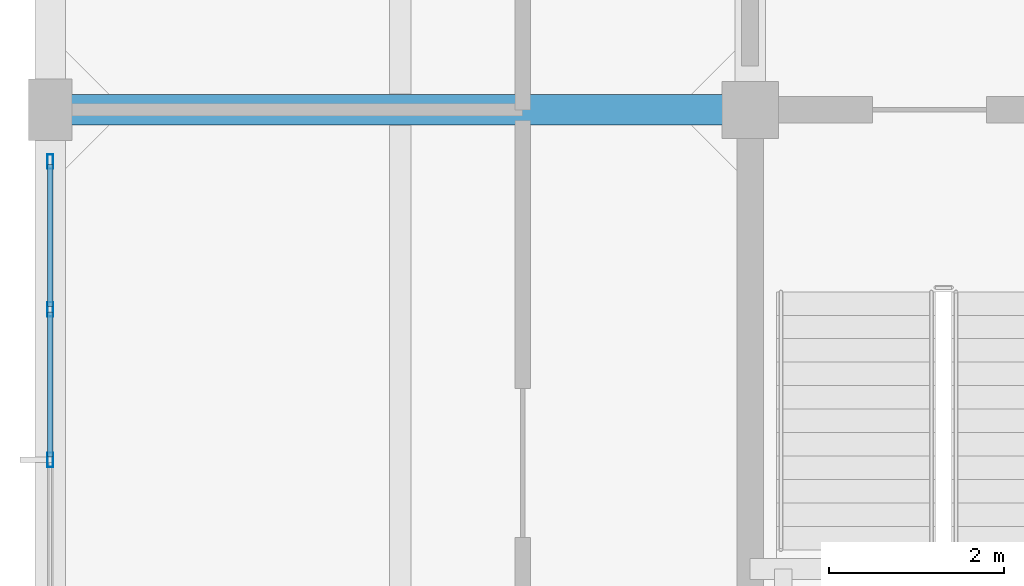
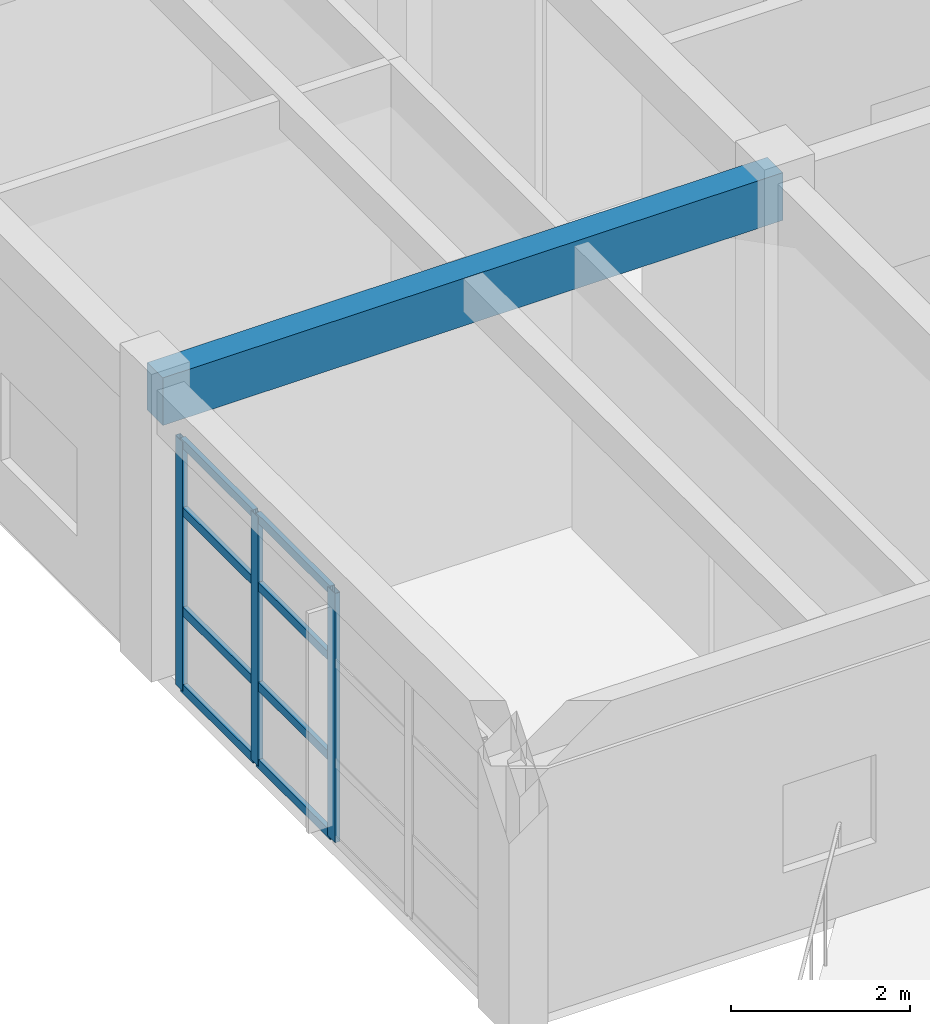
# One storey, part 4 of 20: 11 members, 1 beam, 1 element without a shape of its own.
"""IFC4 building model written with IfcOpenShell, lengths in metres."""

import ifcopenshell
import ifcopenshell.guid

model = None  # the IFC model being written
_history = None  # IfcOwnerHistory: only IFC2X3 demands one
_inside = {}  # id of a spatial element -> (the spatial element, [elements in it])
_under = {}  # id of a project, library or spatial element -> (it, [spatial elements below it])
_declared = {}  # id of a project -> (the project, [libraries it declares])
_typed = {}  # id of a type object -> (the type object, [elements of that type])
_made_of = {}  # id of a material, layer set ... -> (it, [elements and type objects made of it])


def new_model(schema):
    """Start an empty IFC model of exactly this schema.

    Asked for "IFC4X3", IfcOpenShell would pick the latest addendum, in which some entities
    have other attributes; the version numbers below select the first issue.
    IFC2X3 requires an IfcOwnerHistory on every rooted entity: one is made here for all.
    """
    global model, _history
    if schema == "IFC4X3":
        model = ifcopenshell.file(schema_version=(4, 3, 0, 0))
    else:
        model = ifcopenshell.file(schema=schema)
    _inside.clear()
    _under.clear()
    _declared.clear()
    _typed.clear()
    _made_of.clear()
    _history = None
    if model.schema == "IFC2X3":
        org = make("IfcOrganization", Name="unknown")
        user = make(
            "IfcPersonAndOrganization",
            ThePerson=make("IfcPerson", FamilyName="unknown"),
            TheOrganization=org,
        )
        app = make(
            "IfcApplication",
            ApplicationDeveloper=org,
            Version="unknown",
            ApplicationFullName="unknown",
            ApplicationIdentifier="unknown",
        )
        _history = make(
            "IfcOwnerHistory",
            OwningUser=user,
            OwningApplication=app,
            ChangeAction="ADDED",
            CreationDate=0,
        )
    return model


def make(cls, **values):
    """One entity of the class cls with the attributes given. An attribute that is None is left unset."""
    return model.create_entity(
        cls, **{name: value for name, value in values.items() if value is not None}
    )


def rooted(cls, **values):
    """An entity with a GlobalId (a new one), such as an element, a storey or a relation."""
    return make(cls, GlobalId=ifcopenshell.guid.new(), OwnerHistory=_history, **values)


def si_unit(unit_type, name, prefix=None):
    """IfcSIUnit, for example si_unit("LENGTHUNIT", "METRE", prefix="MILLI")."""
    return make("IfcSIUnit", UnitType=unit_type, Prefix=prefix, Name=name)


def assignment(units):
    """IfcUnitAssignment: the units of a project."""
    return None if units is None else make("IfcUnitAssignment", Units=units)


def point(xyz):
    """IfcCartesianPoint."""
    return None if xyz is None else make("IfcCartesianPoint", Coordinates=xyz)


def direction(xyz):
    """IfcDirection."""
    return None if xyz is None else make("IfcDirection", DirectionRatios=xyz)


def frame(location, z_axis=None, x_axis=None):
    """IfcAxis2Placement3D, a coordinate frame: its origin and axes. An axis left out is left unset."""
    return make(
        "IfcAxis2Placement3D",
        Location=point(location),
        Axis=direction(z_axis),
        RefDirection=direction(x_axis),
    )


def frame_2d(location, x_axis=None):
    """IfcAxis2Placement2D, a coordinate frame in the plane: its origin and x axis."""
    return make(
        "IfcAxis2Placement2D", Location=point(location), RefDirection=direction(x_axis)
    )


def origin():
    """The frame at (0, 0, 0) with its axes left unset."""
    return frame((0.0, 0.0, 0.0))


def origin_2d():
    """The frame at (0, 0) in the plane with its x axis left unset."""
    return frame_2d((0.0, 0.0))


def place(relative_to, where):
    """IfcLocalPlacement: puts the frame where relative to a parent placement (None: the world)."""
    return make(
        "IfcLocalPlacement", PlacementRelTo=relative_to, RelativePlacement=where
    )


def context(
    kind, dimensions, precision=None, world=None, true_north=None, identifier=None
):
    """IfcGeometricRepresentationContext, for example the 3D "Model" context."""
    return make(
        "IfcGeometricRepresentationContext",
        ContextIdentifier=identifier,
        ContextType=kind,
        CoordinateSpaceDimension=dimensions,
        Precision=precision,
        WorldCoordinateSystem=world,
        TrueNorth=true_north,
    )


def subcontext(parent, identifier, kind, view, scale=None):
    """IfcGeometricRepresentationSubContext, for example "Body" below "Model"."""
    return make(
        "IfcGeometricRepresentationSubContext",
        ContextIdentifier=identifier,
        ContextType=kind,
        ParentContext=parent,
        TargetScale=scale,
        TargetView=view,
    )


def project(units=None, contexts=None):
    """IfcProject with its units and contexts."""
    return rooted(
        "IfcProject",
        Name="project",
        RepresentationContexts=contexts,
        UnitsInContext=assignment(units),
    )


def spatial(cls, under=None, at=None, **own):
    """A site, building, storey or space (cls), placed at a placement, below another one or the project."""
    s = rooted(cls, ObjectPlacement=at, **own)
    if under is not None:
        _under.setdefault(under.id(), (under, []))[1].append(s)
    return s


def profile(cls, at=None, kind="AREA", **sizes):
    """A parametric profile (cls). Its sizes go by their IFC names, for example OverallWidth=200.0."""
    return make(cls, ProfileType=kind, Position=at, **sizes)


def rectangle(**sizes):
    """IfcRectangleProfileDef."""
    return profile("IfcRectangleProfileDef", **sizes)


def hollow_rectangle(**sizes):
    """IfcRectangleHollowProfileDef."""
    return profile("IfcRectangleHollowProfileDef", **sizes)


def extrude(swept, where, along, depth):
    """IfcExtrudedAreaSolid: the profile swept, set in the frame where, extruded along a direction by depth."""
    return make(
        "IfcExtrudedAreaSolid",
        SweptArea=swept,
        Position=where,
        ExtrudedDirection=direction(along),
        Depth=depth,
    )


def shape(context_of_items, identifier, shape_type, items):
    """IfcShapeRepresentation: the items that make up one representation, for example the "Body"."""
    return make(
        "IfcShapeRepresentation",
        ContextOfItems=context_of_items,
        RepresentationIdentifier=identifier,
        RepresentationType=shape_type,
        Items=items,
    )


def material(Name=None, Category=None):
    """IfcMaterial."""
    return make("IfcMaterial", Name=Name, Category=Category)


def layer(
    of_material, thickness, ventilated=None, Name=None, Category=None, Priority=None
):
    """IfcMaterialLayer: one layer of a wall or slab, of a material (None: an air gap)."""
    return make(
        "IfcMaterialLayer",
        Material=of_material,
        LayerThickness=thickness,
        IsVentilated=ventilated,
        Name=Name,
        Category=Category,
        Priority=Priority,
    )


def layer_set(layers, Name=None):
    """IfcMaterialLayerSet."""
    return make("IfcMaterialLayerSet", MaterialLayers=layers, LayerSetName=Name)


def material_profile(
    of_material, cross_section, Name=None, Category=None, Priority=None
):
    """IfcMaterialProfile: a cross section and its material."""
    return make(
        "IfcMaterialProfile",
        Name=Name,
        Material=of_material,
        Profile=cross_section,
        Priority=Priority,
        Category=Category,
    )


def profile_set(profiles, Name=None, composite=None):
    """IfcMaterialProfileSet."""
    return make(
        "IfcMaterialProfileSet",
        Name=Name,
        MaterialProfiles=profiles,
        CompositeProfile=composite,
    )


def made_of(thing, what):
    """Note that an element or type object is made of a material, layer set ...; save() writes the relation."""
    if what is not None:
        _made_of.setdefault(what.id(), (what, []))[1].append(thing)
    return thing


def type_object(cls, material=None, **own):
    """A type object (cls), such as IfcWallType, which elements share."""
    return made_of(rooted(cls, **own), material)


def element(
    cls,
    number,
    at=None,
    inside=None,
    cuts=None,
    type_object=None,
    material=None,
    context=None,
    identifier="Body",
    shape_type=None,
    held_by="IfcProductDefinitionShape",
    body=None,
    shapes=None,
    **own,
):
    """One element of the class cls, such as IfcWall. Its Tag is "e" and its number.

    at: its placement. inside: the storey or other place that contains it. cuts: it is an
    opening in that element (IfcRelVoidsElement). A single representation is given by context,
    identifier, shape_type and body (its items); several are given by shapes. held_by: the class
    of the entity that holds the representations. save() writes the other relations.
    """
    e = rooted(cls, Tag="e%d" % number, ObjectPlacement=at, **own)
    if body is not None:
        shapes = [shape(context, identifier, shape_type, body)]
    if shapes is not None:
        e.Representation = make(held_by, Representations=shapes)
    if inside is not None:
        _inside.setdefault(inside.id(), (inside, []))[1].append(e)
    if cuts is not None:
        rooted(
            "IfcRelVoidsElement", RelatingBuildingElement=cuts, RelatedOpeningElement=e
        )
    if type_object is not None:
        _typed.setdefault(type_object.id(), (type_object, []))[1].append(e)
    return made_of(e, material)


def aggregate(whole, parts):
    """IfcRelAggregates: a whole, such as a stair, and the parts it consists of."""
    return rooted("IfcRelAggregates", RelatingObject=whole, RelatedObjects=parts)


def save(model, path):
    """Write the relations noted so far, then the file.

    IfcRelAggregates (storeys below a building ...), IfcRelContainedInSpatialStructure (elements
    in a storey), IfcRelDefinesByType, IfcRelAssociatesMaterial and IfcRelDeclares: one each for
    every whole, place, type object, material and project.
    """
    for whole, parts in _under.values():
        aggregate(whole, parts)
    for where, things in _inside.values():
        rooted(
            "IfcRelContainedInSpatialStructure",
            RelatedElements=things,
            RelatingStructure=where,
        )
    for kind, things in _typed.values():
        rooted("IfcRelDefinesByType", RelatedObjects=things, RelatingType=kind)
    for what, things in _made_of.values():
        rooted("IfcRelAssociatesMaterial", RelatedObjects=things, RelatingMaterial=what)
    for by, libraries in _declared.values():
        rooted("IfcRelDeclares", RelatingContext=by, RelatedDefinitions=libraries)
    model.write(path)


model = new_model("IFC4")

# Units and contexts
model_context = context("Model", 3, precision=1e-05, world=origin(), true_north=direction((0.0, 1.0)))
body_context = subcontext(model_context, "Body", "Model", "MODEL_VIEW")
ifc_project = project(units=[si_unit("LENGTHUNIT", "METRE"), si_unit("AREAUNIT", "SQUARE_METRE"), si_unit("VOLUMEUNIT", "CUBIC_METRE"), si_unit("PLANEANGLEUNIT", "RADIAN"), si_unit("MASSUNIT", "GRAM", prefix="KILO")], contexts=[model_context])

# Site, building, storey
site_placement = place(None, origin())
site = spatial("IfcSite", under=ifc_project, at=site_placement, CompositionType="ELEMENT")
building_placement = place(site_placement, origin())
building = spatial("IfcBuilding", under=site, at=building_placement, Name="Canggui Botanical Conservatory", CompositionType="ELEMENT")
storey_placement = place(building_placement, frame((0.0, 0.0, 57.0)))
storey = spatial("IfcBuildingStorey", under=building, at=storey_placement, Name="L14", CompositionType="ELEMENT", Elevation=57.0)

# Beam
ifc_material_1 = material(Name="Concrete C35", Category="concrete")
ifc_material_profile_1 = material_profile(ifc_material_1, rectangle(XDim=0.35009765625, YDim=0.64990234375, at=origin_2d()), Name="RB 350x650")
ifc_profile_set_1 = profile_set([ifc_material_profile_1], Name="Concrete C35")
beam_type = type_object("IfcBeamType", Name="BM-KL18", PredefinedType="BEAM", material=ifc_profile_set_1)
beam_placement = place(storey_placement, frame((146.0, 50.0, 3.635009765625), z_axis=(1.0, 0.0, 0.0), x_axis=(0.0, 1.0, 0.0)))
element("IfcBeam", 1, at=beam_placement, inside=storey, type_object=beam_type, Name="Frame Girder L14 Y50-1", PredefinedType="BEAM", context=body_context, shape_type="SweptSolid", body=[
    extrude(rectangle(XDim=0.35009765625, YDim=0.64990234375, at=origin_2d()), origin(), (0.0, 0.0, 1.0), 8.0),
])

# Curtain wall, members
ifc_material_2 = material(Name="Thermally Broken Aluminium", Category="aluminium")
ifc_layer = layer(ifc_material_2, 0.1650390625, Name="Thermally Broken Aluminium", Category="aluminium")
ifc_layer_set = layer_set([ifc_layer], Name="Thermally Broken Aluminium")
curtain_wall_type = type_object("IfcCurtainWallType", Name="CW-UNIT-B", PredefinedType="USERDEFINED", material=ifc_layer_set)
curtain_wall_placement = place(storey_placement, origin())
curtain_wall = element("IfcCurtainWall", 2, at=curtain_wall_placement, inside=storey, type_object=curtain_wall_type, Name="Facade Curtain Wall CW-TWR-L14-04", ObjectType="UNITISED CURTAIN WALL", PredefinedType="USERDEFINED")
ifc_material_profile_2 = material_profile(ifc_material_2, hollow_rectangle(XDim=0.06494140625, YDim=0.1650390625, WallThickness=0.00390625, at=origin_2d()), Name="CWM 65x165x4")
ifc_profile_set_2 = profile_set([ifc_material_profile_2], Name="Thermally Broken Aluminium")
member_type_1 = type_object("IfcMemberType", Name="CWM-02", PredefinedType="MULLION", material=ifc_profile_set_2)
member_1_placement = place(storey_placement, frame((146.0, 46.0, 0.0), z_axis=(0.0, 0.0, 1.0), x_axis=(-1.0, 0.0, 0.0)))
member_1 = element("IfcMember", 3, at=member_1_placement, type_object=member_type_1, Name="CW-02 mullion 3", PredefinedType="MULLION", context=body_context, shape_type="SweptSolid", body=[
    extrude(hollow_rectangle(XDim=0.06494140625, YDim=0.1650390625, WallThickness=0.00390625, at=origin_2d()), origin(), (0.0, 0.0, 1.0), 3.39990234375),
])
member_2_placement = place(storey_placement, frame((146.0, 47.719970703125, 0.0), z_axis=(0.0, 0.0, 1.0), x_axis=(-1.0, 0.0, 0.0)))
member_2 = element("IfcMember", 4, at=member_2_placement, type_object=member_type_1, Name="CW-02 mullion 4", PredefinedType="MULLION", context=body_context, shape_type="SweptSolid", body=[
    extrude(hollow_rectangle(XDim=0.06494140625, YDim=0.1650390625, WallThickness=0.00390625, at=origin_2d()), origin(), (0.0, 0.0, 1.0), 3.39990234375),
])
member_3_placement = place(storey_placement, frame((146.0, 49.407470703125, 0.0), z_axis=(0.0, 0.0, 1.0), x_axis=(-1.0, 0.0, 0.0)))
member_3 = element("IfcMember", 5, at=member_3_placement, type_object=member_type_1, Name="CW-02 mullion 5", PredefinedType="MULLION", context=body_context, shape_type="SweptSolid", body=[
    extrude(hollow_rectangle(XDim=0.06494140625, YDim=0.1650390625, WallThickness=0.00390625, at=origin_2d()), origin(), (0.0, 0.0, 1.0), 3.39990234375),
])
ifc_material_profile_3 = material_profile(ifc_material_2, hollow_rectangle(XDim=0.06005859375, YDim=0.1201171875, WallThickness=0.00341796875, at=origin_2d()), Name="CWT 60x120x3.5")
ifc_profile_set_3 = profile_set([ifc_material_profile_3], Name="Thermally Broken Aluminium")
member_type_2 = type_object("IfcMemberType", Name="CWT-02", PredefinedType="USERDEFINED", material=ifc_profile_set_3)
member_4_placement = place(storey_placement, frame((146.0, 46.032470703125, 0.030029296875), z_axis=(0.0, 1.0, 0.0), x_axis=(-1.0, 0.0, 0.0)))
member_4 = element("IfcMember", 6, at=member_4_placement, type_object=member_type_2, Name="CW-02 transom 3.1", ObjectType="TRANSOM", PredefinedType="USERDEFINED", context=body_context, shape_type="SweptSolid", body=[
    extrude(hollow_rectangle(XDim=0.06005859375, YDim=0.1201171875, WallThickness=0.00341796875, at=origin_2d()), origin(), (0.0, 0.0, 1.0), 1.655029296875),
])
member_5_placement = place(storey_placement, frame((146.0, 46.032470703125, 1.087890625), z_axis=(0.0, 1.0, 0.0), x_axis=(-1.0, 0.0, 0.0)))
member_5 = element("IfcMember", 7, at=member_5_placement, type_object=member_type_2, Name="CW-02 transom 3.2", ObjectType="TRANSOM", PredefinedType="USERDEFINED", context=body_context, shape_type="SweptSolid", body=[
    extrude(hollow_rectangle(XDim=0.06005859375, YDim=0.1201171875, WallThickness=0.00341796875, at=origin_2d()), origin(), (0.0, 0.0, 1.0), 1.655029296875),
])
member_6_placement = place(storey_placement, frame((146.0, 46.032470703125, 2.447998046875), z_axis=(0.0, 1.0, 0.0), x_axis=(-1.0, 0.0, 0.0)))
member_6 = element("IfcMember", 8, at=member_6_placement, type_object=member_type_2, Name="CW-02 transom 3.3", ObjectType="TRANSOM", PredefinedType="USERDEFINED", context=body_context, shape_type="SweptSolid", body=[
    extrude(hollow_rectangle(XDim=0.06005859375, YDim=0.1201171875, WallThickness=0.00341796875, at=origin_2d()), origin(), (0.0, 0.0, 1.0), 1.655029296875),
])
member_7_placement = place(storey_placement, frame((146.0, 46.032470703125, 3.3701171875), z_axis=(0.0, 1.0, 0.0), x_axis=(-1.0, 0.0, 0.0)))
member_7 = element("IfcMember", 9, at=member_7_placement, type_object=member_type_2, Name="CW-02 transom 3.4", ObjectType="TRANSOM", PredefinedType="USERDEFINED", context=body_context, shape_type="SweptSolid", body=[
    extrude(hollow_rectangle(XDim=0.06005859375, YDim=0.1201171875, WallThickness=0.00341796875, at=origin_2d()), origin(), (0.0, 0.0, 1.0), 1.655029296875),
])
member_8_placement = place(storey_placement, frame((146.0, 47.75244140625, 0.030029296875), z_axis=(0.0, 1.0, 0.0), x_axis=(-1.0, 0.0, 0.0)))
member_8 = element("IfcMember", 10, at=member_8_placement, type_object=member_type_2, Name="CW-02 transom 4.1", ObjectType="TRANSOM", PredefinedType="USERDEFINED", context=body_context, shape_type="SweptSolid", body=[
    extrude(hollow_rectangle(XDim=0.06005859375, YDim=0.1201171875, WallThickness=0.00341796875, at=origin_2d()), origin(), (0.0, 0.0, 1.0), 1.62255859375),
])
member_9_placement = place(storey_placement, frame((146.0, 47.75244140625, 1.087890625), z_axis=(0.0, 1.0, 0.0), x_axis=(-1.0, 0.0, 0.0)))
member_9 = element("IfcMember", 11, at=member_9_placement, type_object=member_type_2, Name="CW-02 transom 4.2", ObjectType="TRANSOM", PredefinedType="USERDEFINED", context=body_context, shape_type="SweptSolid", body=[
    extrude(hollow_rectangle(XDim=0.06005859375, YDim=0.1201171875, WallThickness=0.00341796875, at=origin_2d()), origin(), (0.0, 0.0, 1.0), 1.62255859375),
])
member_10_placement = place(storey_placement, frame((146.0, 47.75244140625, 2.447998046875), z_axis=(0.0, 1.0, 0.0), x_axis=(-1.0, 0.0, 0.0)))
member_10 = element("IfcMember", 12, at=member_10_placement, type_object=member_type_2, Name="CW-02 transom 4.3", ObjectType="TRANSOM", PredefinedType="USERDEFINED", context=body_context, shape_type="SweptSolid", body=[
    extrude(hollow_rectangle(XDim=0.06005859375, YDim=0.1201171875, WallThickness=0.00341796875, at=origin_2d()), origin(), (0.0, 0.0, 1.0), 1.62255859375),
])
member_11_placement = place(storey_placement, frame((146.0, 47.75244140625, 3.3701171875), z_axis=(0.0, 1.0, 0.0), x_axis=(-1.0, 0.0, 0.0)))
member_11 = element("IfcMember", 13, at=member_11_placement, type_object=member_type_2, Name="CW-02 transom 4.4", ObjectType="TRANSOM", PredefinedType="USERDEFINED", context=body_context, shape_type="SweptSolid", body=[
    extrude(hollow_rectangle(XDim=0.06005859375, YDim=0.1201171875, WallThickness=0.00341796875, at=origin_2d()), origin(), (0.0, 0.0, 1.0), 1.62255859375),
])
aggregate(curtain_wall, [member_1, member_2, member_3, member_4, member_5, member_6, member_7, member_8, member_9, member_10, member_11])

save(model, "model.ifc")
